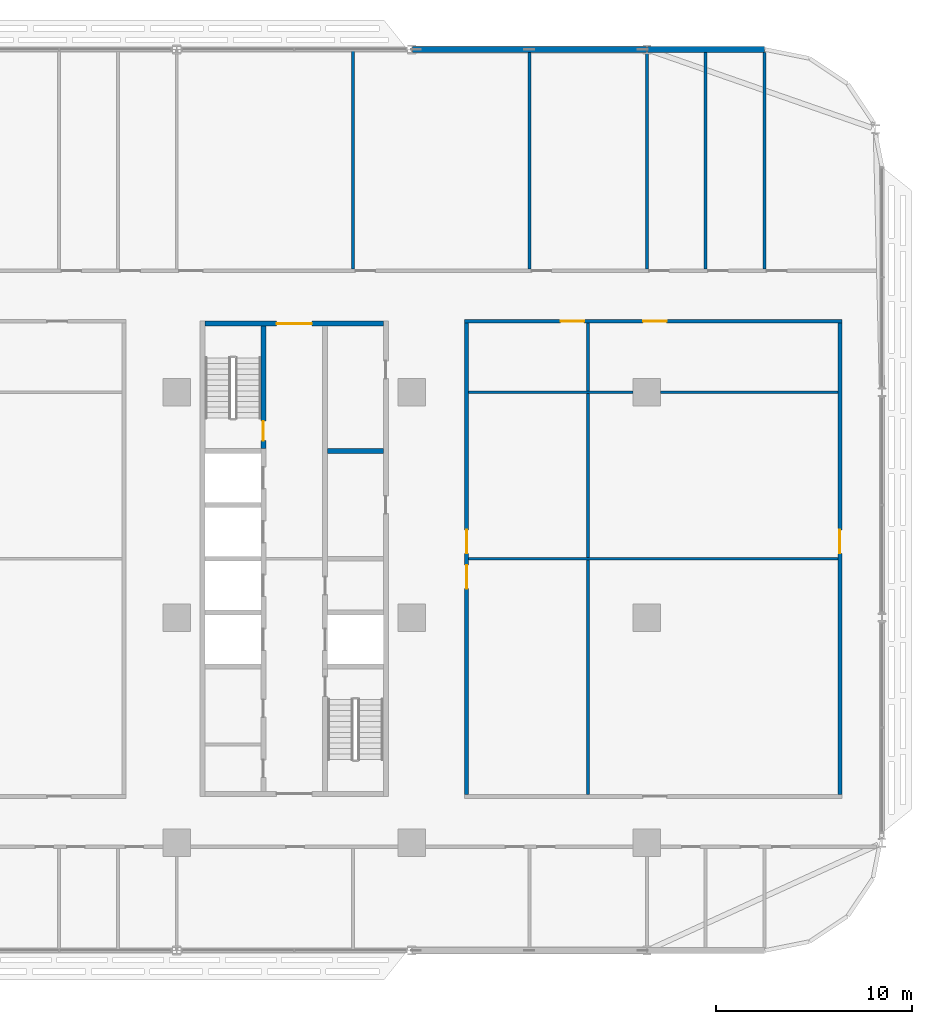
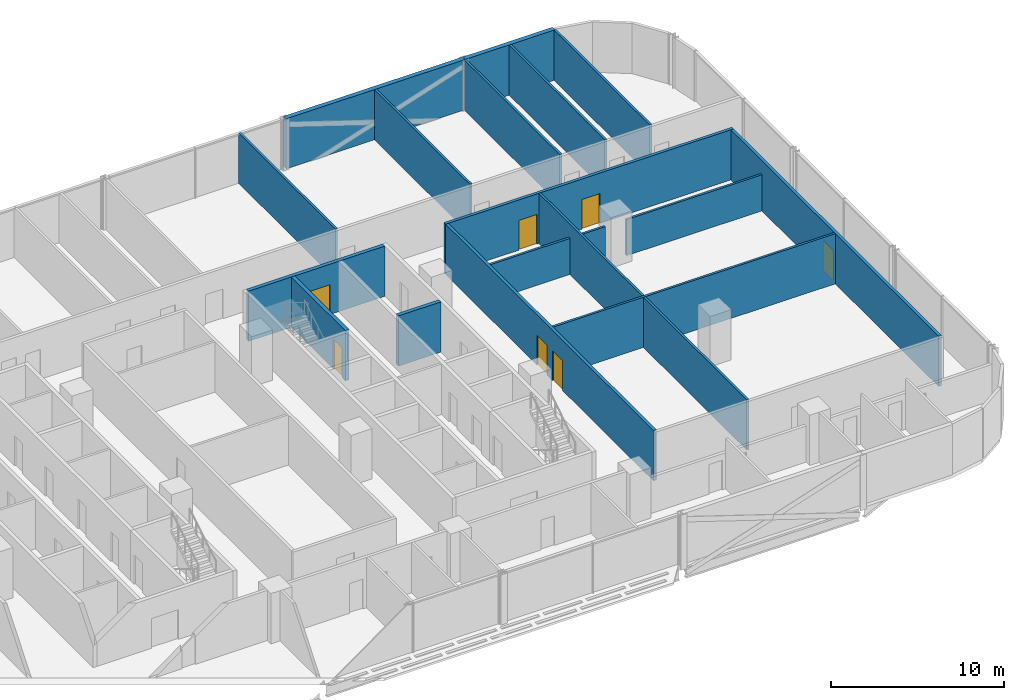
# One storey, part 17 of 29: 17 walls, 7 doors, 7 openings.
"""IFC4 building model written with IfcOpenShell, lengths in metres."""

import ifcopenshell
import ifcopenshell.guid

model = None  # the IFC model being written
_history = None  # IfcOwnerHistory: only IFC2X3 demands one
_inside = {}  # id of a spatial element -> (the spatial element, [elements in it])
_under = {}  # id of a project, library or spatial element -> (it, [spatial elements below it])
_declared = {}  # id of a project -> (the project, [libraries it declares])
_typed = {}  # id of a type object -> (the type object, [elements of that type])
_made_of = {}  # id of a material, layer set ... -> (it, [elements and type objects made of it])


def new_model(schema):
    """Start an empty IFC model of exactly this schema.

    Asked for "IFC4X3", IfcOpenShell would pick the latest addendum, in which some entities
    have other attributes; the version numbers below select the first issue.
    IFC2X3 requires an IfcOwnerHistory on every rooted entity: one is made here for all.
    """
    global model, _history
    if schema == "IFC4X3":
        model = ifcopenshell.file(schema_version=(4, 3, 0, 0))
    else:
        model = ifcopenshell.file(schema=schema)
    _inside.clear()
    _under.clear()
    _declared.clear()
    _typed.clear()
    _made_of.clear()
    _history = None
    if model.schema == "IFC2X3":
        org = make("IfcOrganization", Name="unknown")
        user = make(
            "IfcPersonAndOrganization",
            ThePerson=make("IfcPerson", FamilyName="unknown"),
            TheOrganization=org,
        )
        app = make(
            "IfcApplication",
            ApplicationDeveloper=org,
            Version="unknown",
            ApplicationFullName="unknown",
            ApplicationIdentifier="unknown",
        )
        _history = make(
            "IfcOwnerHistory",
            OwningUser=user,
            OwningApplication=app,
            ChangeAction="ADDED",
            CreationDate=0,
        )
    return model


def make(cls, **values):
    """One entity of the class cls with the attributes given. An attribute that is None is left unset."""
    return model.create_entity(
        cls, **{name: value for name, value in values.items() if value is not None}
    )


def rooted(cls, **values):
    """An entity with a GlobalId (a new one), such as an element, a storey or a relation."""
    return make(cls, GlobalId=ifcopenshell.guid.new(), OwnerHistory=_history, **values)


def si_unit(unit_type, name, prefix=None):
    """IfcSIUnit, for example si_unit("LENGTHUNIT", "METRE", prefix="MILLI")."""
    return make("IfcSIUnit", UnitType=unit_type, Prefix=prefix, Name=name)


def assignment(units):
    """IfcUnitAssignment: the units of a project."""
    return None if units is None else make("IfcUnitAssignment", Units=units)


def point(xyz):
    """IfcCartesianPoint."""
    return None if xyz is None else make("IfcCartesianPoint", Coordinates=xyz)


def direction(xyz):
    """IfcDirection."""
    return None if xyz is None else make("IfcDirection", DirectionRatios=xyz)


def frame(location, z_axis=None, x_axis=None):
    """IfcAxis2Placement3D, a coordinate frame: its origin and axes. An axis left out is left unset."""
    return make(
        "IfcAxis2Placement3D",
        Location=point(location),
        Axis=direction(z_axis),
        RefDirection=direction(x_axis),
    )


def frame_2d(location, x_axis=None):
    """IfcAxis2Placement2D, a coordinate frame in the plane: its origin and x axis."""
    return make(
        "IfcAxis2Placement2D", Location=point(location), RefDirection=direction(x_axis)
    )


def origin():
    """The frame at (0, 0, 0) with its axes left unset."""
    return frame((0.0, 0.0, 0.0))


def place(relative_to, where):
    """IfcLocalPlacement: puts the frame where relative to a parent placement (None: the world)."""
    return make(
        "IfcLocalPlacement", PlacementRelTo=relative_to, RelativePlacement=where
    )


def context(
    kind, dimensions, precision=None, world=None, true_north=None, identifier=None
):
    """IfcGeometricRepresentationContext, for example the 3D "Model" context."""
    return make(
        "IfcGeometricRepresentationContext",
        ContextIdentifier=identifier,
        ContextType=kind,
        CoordinateSpaceDimension=dimensions,
        Precision=precision,
        WorldCoordinateSystem=world,
        TrueNorth=true_north,
    )


def subcontext(parent, identifier, kind, view, scale=None):
    """IfcGeometricRepresentationSubContext, for example "Body" below "Model"."""
    return make(
        "IfcGeometricRepresentationSubContext",
        ContextIdentifier=identifier,
        ContextType=kind,
        ParentContext=parent,
        TargetScale=scale,
        TargetView=view,
    )


def project(units=None, contexts=None):
    """IfcProject with its units and contexts."""
    return rooted(
        "IfcProject",
        Name="project",
        RepresentationContexts=contexts,
        UnitsInContext=assignment(units),
    )


def spatial(cls, under=None, at=None, **own):
    """A site, building, storey or space (cls), placed at a placement, below another one or the project."""
    s = rooted(cls, ObjectPlacement=at, **own)
    if under is not None:
        _under.setdefault(under.id(), (under, []))[1].append(s)
    return s


def profile(cls, at=None, kind="AREA", **sizes):
    """A parametric profile (cls). Its sizes go by their IFC names, for example OverallWidth=200.0."""
    return make(cls, ProfileType=kind, Position=at, **sizes)


def rectangle(**sizes):
    """IfcRectangleProfileDef."""
    return profile("IfcRectangleProfileDef", **sizes)


def extrude(swept, where, along, depth):
    """IfcExtrudedAreaSolid: the profile swept, set in the frame where, extruded along a direction by depth."""
    return make(
        "IfcExtrudedAreaSolid",
        SweptArea=swept,
        Position=where,
        ExtrudedDirection=direction(along),
        Depth=depth,
    )


def shape(context_of_items, identifier, shape_type, items):
    """IfcShapeRepresentation: the items that make up one representation, for example the "Body"."""
    return make(
        "IfcShapeRepresentation",
        ContextOfItems=context_of_items,
        RepresentationIdentifier=identifier,
        RepresentationType=shape_type,
        Items=items,
    )


def material(Name=None, Category=None):
    """IfcMaterial."""
    return make("IfcMaterial", Name=Name, Category=Category)


def layer(
    of_material, thickness, ventilated=None, Name=None, Category=None, Priority=None
):
    """IfcMaterialLayer: one layer of a wall or slab, of a material (None: an air gap)."""
    return make(
        "IfcMaterialLayer",
        Material=of_material,
        LayerThickness=thickness,
        IsVentilated=ventilated,
        Name=Name,
        Category=Category,
        Priority=Priority,
    )


def layer_set(layers, Name=None):
    """IfcMaterialLayerSet."""
    return make("IfcMaterialLayerSet", MaterialLayers=layers, LayerSetName=Name)


def made_of(thing, what):
    """Note that an element or type object is made of a material, layer set ...; save() writes the relation."""
    if what is not None:
        _made_of.setdefault(what.id(), (what, []))[1].append(thing)
    return thing


def type_object(cls, material=None, **own):
    """A type object (cls), such as IfcWallType, which elements share."""
    return made_of(rooted(cls, **own), material)


def element(
    cls,
    number,
    at=None,
    inside=None,
    cuts=None,
    type_object=None,
    material=None,
    context=None,
    identifier="Body",
    shape_type=None,
    held_by="IfcProductDefinitionShape",
    body=None,
    shapes=None,
    **own,
):
    """One element of the class cls, such as IfcWall. Its Tag is "e" and its number.

    at: its placement. inside: the storey or other place that contains it. cuts: it is an
    opening in that element (IfcRelVoidsElement). A single representation is given by context,
    identifier, shape_type and body (its items); several are given by shapes. held_by: the class
    of the entity that holds the representations. save() writes the other relations.
    """
    e = rooted(cls, Tag="e%d" % number, ObjectPlacement=at, **own)
    if body is not None:
        shapes = [shape(context, identifier, shape_type, body)]
    if shapes is not None:
        e.Representation = make(held_by, Representations=shapes)
    if inside is not None:
        _inside.setdefault(inside.id(), (inside, []))[1].append(e)
    if cuts is not None:
        rooted(
            "IfcRelVoidsElement", RelatingBuildingElement=cuts, RelatedOpeningElement=e
        )
    if type_object is not None:
        _typed.setdefault(type_object.id(), (type_object, []))[1].append(e)
    return made_of(e, material)


def fill(opening, filler):
    """IfcRelFillsElement: the door or window that sits in an opening."""
    return rooted(
        "IfcRelFillsElement",
        RelatingOpeningElement=opening,
        RelatedBuildingElement=filler,
    )


def aggregate(whole, parts):
    """IfcRelAggregates: a whole, such as a stair, and the parts it consists of."""
    return rooted("IfcRelAggregates", RelatingObject=whole, RelatedObjects=parts)


def save(model, path):
    """Write the relations noted so far, then the file.

    IfcRelAggregates (storeys below a building ...), IfcRelContainedInSpatialStructure (elements
    in a storey), IfcRelDefinesByType, IfcRelAssociatesMaterial and IfcRelDeclares: one each for
    every whole, place, type object, material and project.
    """
    for whole, parts in _under.values():
        aggregate(whole, parts)
    for where, things in _inside.values():
        rooted(
            "IfcRelContainedInSpatialStructure",
            RelatedElements=things,
            RelatingStructure=where,
        )
    for kind, things in _typed.values():
        rooted("IfcRelDefinesByType", RelatedObjects=things, RelatingType=kind)
    for what, things in _made_of.values():
        rooted("IfcRelAssociatesMaterial", RelatedObjects=things, RelatingMaterial=what)
    for by, libraries in _declared.values():
        rooted("IfcRelDeclares", RelatingContext=by, RelatedDefinitions=libraries)
    model.write(path)


model = new_model("IFC4")

# Units and contexts
model_context = context("Model", 3, precision=1e-05, world=origin(), true_north=direction((0.0, 1.0)))
body_context = subcontext(model_context, "Body", "Model", "MODEL_VIEW")
ifc_project = project(units=[si_unit("LENGTHUNIT", "METRE"), si_unit("AREAUNIT", "SQUARE_METRE"), si_unit("VOLUMEUNIT", "CUBIC_METRE"), si_unit("PLANEANGLEUNIT", "RADIAN"), si_unit("MASSUNIT", "GRAM", prefix="KILO")], contexts=[model_context])

# Site, building, storey
site_placement = place(None, origin())
site = spatial("IfcSite", under=ifc_project, at=site_placement, CompositionType="ELEMENT")
building_placement = place(site_placement, origin())
building = spatial("IfcBuilding", under=site, at=building_placement, Name="Mahtab Terrace Research Tower", CompositionType="ELEMENT")
storey_placement = place(building_placement, frame((0.0, 0.0, 113.5)))
storey = spatial("IfcBuildingStorey", under=building, at=storey_placement, Name="L26", CompositionType="ELEMENT", Elevation=113.5)

# Wall, opening, door
ifc_material_1 = material(Name="Concrete C70/85", Category="concrete")
ifc_layer_1 = layer(ifc_material_1, 0.25)
ifc_layer_set_1 = layer_set([ifc_layer_1], Name="Core wall 250")
wall_type_1 = type_object("IfcWallType", Name="Core wall 250", PredefinedType="SOLIDWALL", material=ifc_layer_set_1)
wall_1_placement = place(storey_placement, frame((19.449951171875, 15.0, 0.0), z_axis=(0.0, 0.0, 1.0), x_axis=(1.0, 0.0, 0.0)))
wall_1 = element("IfcWall", 1, at=wall_1_placement, inside=storey, type_object=wall_type_1, Name="Core wall C endN", PredefinedType="SOLIDWALL", context=body_context, shape_type="SweptSolid", body=[
    extrude(rectangle(XDim=9.10009765625, YDim=0.25, at=frame_2d((4.550048828125, 0.0))), origin(), (0.0, 0.0, 1.0), 3.550048828125),
])
opening_1_placement = place(wall_1_placement, frame((3.64990234375, 0.0, 0.0)))
opening_1 = element("IfcOpeningElement", 2, at=opening_1_placement, cuts=wall_1, Name="Opening C-N1", PredefinedType="OPENING", context=body_context, shape_type="SweptSolid", body=[
    extrude(rectangle(XDim=1.800048828125, YDim=2.10009765625, at=frame_2d((0.89990234375, 1.050048828125))), frame((0.0, 0.135009765625, 0.0), z_axis=(0.0, -1.0, 0.0), x_axis=(1.0, 0.0, 0.0)), (0.0, 0.0, 1.0), 0.27001953125),
])
ifc_material_2 = material(Name="Steel fire door", Category="steel")
door_type_1 = type_object("IfcDoorType", Name="Lobby double door 1800x2100 1 HR", OperationType="DOUBLE_DOOR_SINGLE_SWING", PredefinedType="DOOR", material=ifc_material_2)
door_1_placement = place(opening_1_placement, origin())
door_1 = element("IfcDoor", 3, at=door_1_placement, inside=storey, type_object=door_type_1, Name="Core entrance door C N", OperationType="DOUBLE_DOOR_SINGLE_SWING", OverallHeight=2.10009765625, OverallWidth=1.800048828125, PredefinedType="DOOR", context=body_context, shape_type="SweptSolid", body=[
    extrude(rectangle(XDim=1.800048828125, YDim=2.10009765625, at=frame_2d((0.89990234375, 1.050048828125))), frame((0.0, 0.02490234375, 0.0), z_axis=(0.0, -1.0, 0.0), x_axis=(1.0, 0.0, 0.0)), (0.0, 0.0, 1.0), 0.050048828125),
])
fill(opening_1, door_1)

wall_2_placement = place(storey_placement, frame((22.425048828125, 14.875, 0.0), z_axis=(0.0, 0.0, 1.0), x_axis=(0.0, -1.0, 0.0)))
wall_2 = element("IfcWall", 4, at=wall_2_placement, inside=storey, type_object=wall_type_1, Name="Core wall C innerWN", PredefinedType="SOLIDWALL", context=body_context, shape_type="SweptSolid", body=[
    extrude(rectangle(XDim=6.25, YDim=0.25, at=frame_2d((3.125, 0.0))), origin(), (0.0, 0.0, 1.0), 3.550048828125),
])
opening_2_placement = place(wall_2_placement, frame((4.85009765625, 0.0, 0.0)))
opening_2 = element("IfcOpeningElement", 5, at=opening_2_placement, cuts=wall_2, Name="Opening C-ST3", PredefinedType="OPENING", context=body_context, shape_type="SweptSolid", body=[
    extrude(rectangle(XDim=1.0, YDim=2.10009765625, at=frame_2d((0.5, 1.050048828125))), frame((0.0, 0.135009765625, 0.0), z_axis=(0.0, -1.0, 0.0), x_axis=(1.0, 0.0, 0.0)), (0.0, 0.0, 1.0), 0.27001953125),
])
door_type_2 = type_object("IfcDoorType", Name="Stair door 1000x2100 1.5 HR", OperationType="NOTDEFINED", PredefinedType="DOOR", material=ifc_material_2)
door_2_placement = place(opening_2_placement, origin())
door_2 = element("IfcDoor", 6, at=door_2_placement, inside=storey, type_object=door_type_2, Name="Stair door ST3 L26", OperationType="SINGLE_SWING_RIGHT", OverallHeight=2.10009765625, OverallWidth=1.0, PredefinedType="DOOR", context=body_context, shape_type="SweptSolid", body=[
    extrude(rectangle(XDim=1.0, YDim=2.10009765625, at=frame_2d((0.5, 1.050048828125))), frame((0.0, 0.02490234375, 0.0), z_axis=(0.0, -1.0, 0.0), x_axis=(1.0, 0.0, 0.0)), (0.0, 0.0, 1.0), 0.050048828125),
])
fill(opening_2, door_2)

# Walls
wall_3_placement = place(storey_placement, frame((25.699951171875, 8.5, 0.0), z_axis=(0.0, 0.0, 1.0), x_axis=(1.0, 0.0, 0.0)))
element("IfcWall", 7, at=wall_3_placement, inside=storey, type_object=wall_type_1, Name="Core wall C divE4", PredefinedType="SOLIDWALL", context=body_context, shape_type="SweptSolid", body=[
    extrude(rectangle(XDim=2.85009765625, YDim=0.25, at=frame_2d((1.425048828125, 0.0))), origin(), (0.0, 0.0, 1.0), 3.550048828125),
])
ifc_material_3 = material(Name="Black aluminium cladding panel", Category="aluminium")
ifc_layer_2 = layer(ifc_material_3, 0.300048828125)
ifc_layer_set_2 = layer_set([ifc_layer_2], Name="Opaque facade wall 300")
wall_type_2 = type_object("IfcWallType", Name="Opaque facade wall 300", PredefinedType="NOTDEFINED", material=ifc_layer_set_2)
wall_4_placement = place(storey_placement, frame((48.0, 29.0, 0.0), z_axis=(0.0, 0.0, 1.0), x_axis=(-1.0, 0.0, 0.0)))
element("IfcWall", 8, at=wall_4_placement, inside=storey, type_object=wall_type_2, Name="Opaque facade wall L26 N3", PredefinedType="NOTDEFINED", context=body_context, shape_type="SweptSolid", body=[
    extrude(rectangle(XDim=5.97900390625, YDim=0.300048828125, at=frame_2d((2.989501953125, 0.0))), origin(), (0.0, 0.0, 1.0), 3.550048828125),
])
wall_5_placement = place(storey_placement, frame((41.97900390625, 29.0, 0.0), z_axis=(0.0, 0.0, 1.0), x_axis=(-1.0, 0.0, 0.0)))
element("IfcWall", 9, at=wall_5_placement, inside=storey, type_object=wall_type_2, Name="Opaque facade wall L26 N4", PredefinedType="NOTDEFINED", context=body_context, shape_type="SweptSolid", body=[
    extrude(rectangle(XDim=11.9580078125, YDim=0.300048828125, at=frame_2d((5.97900390625, 0.0))), origin(), (0.0, 0.0, 1.0), 3.550048828125),
])

# Wall, openings, doors
ifc_material_4 = material(Name="Gypsum board corridor wall on steel studs", Category="steel")
ifc_layer_3 = layer(ifc_material_4, 0.199951171875)
ifc_layer_set_3 = layer_set([ifc_layer_3], Name="WALL CORRIDOR 200")
wall_type_3 = type_object("IfcWallType", Name="WALL CORRIDOR 200", PredefinedType="PARTITIONING", material=ifc_layer_set_3)
wall_6_placement = place(storey_placement, frame((32.699951171875, 15.125, 0.0), z_axis=(0.0, 0.0, 1.0), x_axis=(1.0, 0.0, 0.0)))
wall_6 = element("IfcWall", 10, at=wall_6_placement, inside=storey, type_object=wall_type_3, Name="L26-W025", PredefinedType="PARTITIONING", context=body_context, shape_type="SweptSolid", body=[
    extrude(rectangle(XDim=19.25, YDim=0.199951171875, at=frame_2d((9.625, 0.0))), origin(), (0.0, 0.0, 1.0), 3.550048828125),
])
opening_3_placement = place(wall_6_placement, frame((4.89990234375, 0.0, 0.0)))
opening_3 = element("IfcOpeningElement", 11, at=opening_3_placement, cuts=wall_6, Name="Opening L26-130", PredefinedType="OPENING", context=body_context, shape_type="SweptSolid", body=[
    extrude(rectangle(XDim=1.199951171875, YDim=2.10009765625, at=frame_2d((0.60009765625, 1.050048828125))), frame((0.0, 0.10986328125, 0.0), z_axis=(0.0, -1.0, 0.0), x_axis=(1.0, 0.0, 0.0)), (0.0, 0.0, 1.0), 0.219970703125),
])
opening_4_placement = place(wall_6_placement, frame((9.10009765625, 0.0, 0.0)))
opening_4 = element("IfcOpeningElement", 12, at=opening_4_placement, cuts=wall_6, Name="Opening L26-131", PredefinedType="OPENING", context=body_context, shape_type="SweptSolid", body=[
    extrude(rectangle(XDim=1.199951171875, YDim=2.10009765625, at=frame_2d((0.60009765625, 1.050048828125))), frame((0.0, 0.10986328125, 0.0), z_axis=(0.0, -1.0, 0.0), x_axis=(1.0, 0.0, 0.0)), (0.0, 0.0, 1.0), 0.219970703125),
])
ifc_material_5 = material(Name="Timber door leaf in steel frame", Category="steel")
door_type_3 = type_object("IfcDoorType", Name="DOOR 1200X2100 FD30S", OperationType="SINGLE_SWING_LEFT", PredefinedType="DOOR", material=ifc_material_5)
door_3_placement = place(opening_3_placement, origin())
door_3 = element("IfcDoor", 13, at=door_3_placement, inside=storey, type_object=door_type_3, Name="Door L26-130", OperationType="SINGLE_SWING_RIGHT", OverallHeight=2.10009765625, OverallWidth=1.199951171875, PredefinedType="DOOR", context=body_context, shape_type="SweptSolid", body=[
    extrude(rectangle(XDim=1.199951171875, YDim=2.10009765625, at=frame_2d((0.60009765625, 1.050048828125))), frame((0.0, 0.02490234375, 0.0), z_axis=(0.0, -1.0, 0.0), x_axis=(1.0, 0.0, 0.0)), (0.0, 0.0, 1.0), 0.050048828125),
])
fill(opening_3, door_3)
door_4_placement = place(opening_4_placement, origin())
door_4 = element("IfcDoor", 14, at=door_4_placement, inside=storey, type_object=door_type_3, Name="Door L26-131", OperationType="SINGLE_SWING_LEFT", OverallHeight=2.10009765625, OverallWidth=1.199951171875, PredefinedType="DOOR", context=body_context, shape_type="SweptSolid", body=[
    extrude(rectangle(XDim=1.199951171875, YDim=2.10009765625, at=frame_2d((0.60009765625, 1.050048828125))), frame((0.0, 0.02490234375, 0.0), z_axis=(0.0, -1.0, 0.0), x_axis=(1.0, 0.0, 0.0)), (0.0, 0.0, 1.0), 0.050048828125),
])
fill(opening_4, door_4)

wall_7_placement = place(storey_placement, frame((32.800048828125, -9.02490234375, 0.0), z_axis=(0.0, 0.0, 1.0), x_axis=(0.0, 1.0, 0.0)))
wall_7 = element("IfcWall", 15, at=wall_7_placement, inside=storey, type_object=wall_type_3, Name="L26-W055", PredefinedType="PARTITIONING", context=body_context, shape_type="SweptSolid", body=[
    extrude(rectangle(XDim=24.0498046875, YDim=0.199951171875, at=frame_2d((12.02490234375, 0.0))), origin(), (0.0, 0.0, 1.0), 3.550048828125),
])
opening_5_placement = place(wall_7_placement, frame((10.5, 0.0, 0.0)))
opening_5 = element("IfcOpeningElement", 16, at=opening_5_placement, cuts=wall_7, Name="Opening L26-120", PredefinedType="OPENING", context=body_context, shape_type="SweptSolid", body=[
    extrude(rectangle(XDim=1.199951171875, YDim=2.10009765625, at=frame_2d((0.60009765625, 1.050048828125))), frame((0.0, 0.10986328125, 0.0), z_axis=(0.0, -1.0, 0.0), x_axis=(1.0, 0.0, 0.0)), (0.0, 0.0, 1.0), 0.219970703125),
])
opening_6_placement = place(wall_7_placement, frame((12.300048828125, 0.0, 0.0)))
opening_6 = element("IfcOpeningElement", 17, at=opening_6_placement, cuts=wall_7, Name="Opening L26-125", PredefinedType="OPENING", context=body_context, shape_type="SweptSolid", body=[
    extrude(rectangle(XDim=1.199951171875, YDim=2.10009765625, at=frame_2d((0.60009765625, 1.050048828125))), frame((0.0, 0.10986328125, 0.0), z_axis=(0.0, -1.0, 0.0), x_axis=(1.0, 0.0, 0.0)), (0.0, 0.0, 1.0), 0.219970703125),
])
door_5_placement = place(opening_5_placement, origin())
door_5 = element("IfcDoor", 18, at=door_5_placement, inside=storey, type_object=door_type_3, Name="Door L26-120", OperationType="SINGLE_SWING_RIGHT", OverallHeight=2.10009765625, OverallWidth=1.199951171875, PredefinedType="DOOR", context=body_context, shape_type="SweptSolid", body=[
    extrude(rectangle(XDim=1.199951171875, YDim=2.10009765625, at=frame_2d((0.60009765625, 1.050048828125))), frame((0.0, 0.02490234375, 0.0), z_axis=(0.0, -1.0, 0.0), x_axis=(1.0, 0.0, 0.0)), (0.0, 0.0, 1.0), 0.050048828125),
])
fill(opening_5, door_5)
door_6_placement = place(opening_6_placement, origin())
door_6 = element("IfcDoor", 19, at=door_6_placement, inside=storey, type_object=door_type_3, Name="Door L26-125", OperationType="SINGLE_SWING_LEFT", OverallHeight=2.10009765625, OverallWidth=1.199951171875, PredefinedType="DOOR", context=body_context, shape_type="SweptSolid", body=[
    extrude(rectangle(XDim=1.199951171875, YDim=2.10009765625, at=frame_2d((0.60009765625, 1.050048828125))), frame((0.0, 0.02490234375, 0.0), z_axis=(0.0, -1.0, 0.0), x_axis=(1.0, 0.0, 0.0)), (0.0, 0.0, 1.0), 0.050048828125),
])
fill(opening_6, door_6)

# Wall, opening, door
wall_8_placement = place(storey_placement, frame((51.85009765625, -9.02490234375, 0.0), z_axis=(0.0, 0.0, 1.0), x_axis=(0.0, 1.0, 0.0)))
wall_8 = element("IfcWall", 20, at=wall_8_placement, inside=storey, type_object=wall_type_3, Name="L26-W065", PredefinedType="PARTITIONING", context=body_context, shape_type="SweptSolid", body=[
    extrude(rectangle(XDim=24.0498046875, YDim=0.199951171875, at=frame_2d((12.02490234375, 0.0))), origin(), (0.0, 0.0, 1.0), 3.550048828125),
])
opening_7_placement = place(wall_8_placement, frame((12.300048828125, 0.0, 0.0)))
opening_7 = element("IfcOpeningElement", 21, at=opening_7_placement, cuts=wall_8, Name="Opening L26-126", PredefinedType="OPENING", context=body_context, shape_type="SweptSolid", body=[
    extrude(rectangle(XDim=1.199951171875, YDim=2.10009765625, at=frame_2d((0.60009765625, 1.050048828125))), frame((0.0, 0.10986328125, 0.0), z_axis=(0.0, -1.0, 0.0), x_axis=(1.0, 0.0, 0.0)), (0.0, 0.0, 1.0), 0.219970703125),
])
door_7_placement = place(opening_7_placement, origin())
door_7 = element("IfcDoor", 22, at=door_7_placement, inside=storey, type_object=door_type_3, Name="Door L26-126", OperationType="SINGLE_SWING_RIGHT", OverallHeight=2.10009765625, OverallWidth=1.199951171875, PredefinedType="DOOR", context=body_context, shape_type="SweptSolid", body=[
    extrude(rectangle(XDim=1.199951171875, YDim=2.10009765625, at=frame_2d((0.60009765625, 1.050048828125))), frame((0.0, 0.02490234375, 0.0), z_axis=(0.0, -1.0, 0.0), x_axis=(1.0, 0.0, 0.0)), (0.0, 0.0, 1.0), 0.050048828125),
])
fill(opening_7, door_7)

# Walls
ifc_material_6 = material(Name="Gypsum board partition on steel studs", Category="steel")
ifc_layer_4 = layer(ifc_material_6, 0.14990234375)
ifc_layer_set_4 = layer_set([ifc_layer_4], Name="WALL PARTITION 150")
wall_type_4 = type_object("IfcWallType", Name="WALL PARTITION 150", PredefinedType="PARTITIONING", material=ifc_layer_set_4)
wall_9_placement = place(storey_placement, frame((32.89990234375, 3.0, 0.0), z_axis=(0.0, 0.0, 1.0), x_axis=(1.0, 0.0, 0.0)))
element("IfcWall", 23, at=wall_9_placement, inside=storey, type_object=wall_type_4, Name="L26-W016", PredefinedType="PARTITIONING", context=body_context, shape_type="SweptSolid", body=[
    extrude(rectangle(XDim=18.85009765625, YDim=0.14990234375, at=frame_2d((9.425048828125, 0.0))), origin(), (0.0, 0.0, 1.0), 3.550048828125),
])
wall_10_placement = place(storey_placement, frame((32.89990234375, 11.5, 0.0), z_axis=(0.0, 0.0, 1.0), x_axis=(1.0, 0.0, 0.0)))
element("IfcWall", 24, at=wall_10_placement, inside=storey, type_object=wall_type_4, Name="L26-W020", PredefinedType="PARTITIONING", context=body_context, shape_type="SweptSolid", body=[
    extrude(rectangle(XDim=8.400146484375, YDim=0.14990234375, at=frame_2d((4.2001953125, 0.0))), origin(), (0.0, 0.0, 1.0), 2.55126953125),
])
wall_11_placement = place(storey_placement, frame((42.699951171875, 11.5, 0.0), z_axis=(0.0, 0.0, 1.0), x_axis=(1.0, 0.0, 0.0)))
element("IfcWall", 25, at=wall_11_placement, inside=storey, type_object=wall_type_4, Name="L26-W021", PredefinedType="PARTITIONING", context=body_context, shape_type="SweptSolid", body=[
    extrude(rectangle(XDim=9.050048828125, YDim=0.14990234375, at=frame_2d((4.52490234375, 0.0))), origin(), (0.0, 0.0, 1.0), 2.55126953125),
])
wall_12_placement = place(storey_placement, frame((27.0, 17.800048828125, 0.0), z_axis=(0.0, 0.0, 1.0), x_axis=(0.0, 1.0, 0.0)))
element("IfcWall", 26, at=wall_12_placement, inside=storey, type_object=wall_type_4, Name="L26-W054", PredefinedType="PARTITIONING", context=body_context, shape_type="SweptSolid", body=[
    extrude(rectangle(XDim=11.175048828125, YDim=0.14990234375, at=frame_2d((5.58740234375, 0.0))), origin(), (0.0, 0.0, 1.0), 3.550048828125),
])
wall_13_placement = place(storey_placement, frame((36.0, 17.800048828125, 0.0), z_axis=(0.0, 0.0, 1.0), x_axis=(0.0, 1.0, 0.0)))
element("IfcWall", 27, at=wall_13_placement, inside=storey, type_object=wall_type_4, Name="L26-W057", PredefinedType="PARTITIONING", context=body_context, shape_type="SweptSolid", body=[
    extrude(rectangle(XDim=11.050048828125, YDim=0.14990234375, at=frame_2d((5.52490234375, 0.0))), origin(), (0.0, 0.0, 1.0), 3.550048828125),
])
wall_14_placement = place(storey_placement, frame((39.0, -9.02490234375, 0.0), z_axis=(0.0, 0.0, 1.0), x_axis=(0.0, 1.0, 0.0)))
element("IfcWall", 28, at=wall_14_placement, inside=storey, type_object=wall_type_4, Name="L26-W058", PredefinedType="PARTITIONING", context=body_context, shape_type="SweptSolid", body=[
    extrude(rectangle(XDim=24.0498046875, YDim=0.14990234375, at=frame_2d((12.02490234375, 0.0))), origin(), (0.0, 0.0, 1.0), 3.550048828125),
])
for number, where, z_axis, x_axis, name in (
    (29, (42.0, 17.800048828125, 0.0), (0.0, 0.0, 1.0), (0.0, 1.0, 0.0), "L26-W060"),
    (30, (45.0, 17.800048828125, 0.0), (0.0, 0.0, 1.0), (0.0, 1.0, 0.0), "L26-W062"),
):
    element("IfcWall", number, at=place(storey_placement, frame(where, z_axis=z_axis, x_axis=x_axis)), inside=storey, type_object=wall_type_4, Name=name, PredefinedType="PARTITIONING", context=body_context, shape_type="SweptSolid", body=[
        extrude(rectangle(XDim=11.050048828125, YDim=0.14990234375, at=frame_2d((5.52490234375, 0.0))), origin(), (0.0, 0.0, 1.0), 3.550048828125),
    ])
wall_15_placement = place(storey_placement, frame((48.0, 17.800048828125, 0.0), z_axis=(0.0, 0.0, 1.0), x_axis=(0.0, 1.0, 0.0)))
element("IfcWall", 31, at=wall_15_placement, inside=storey, type_object=wall_type_4, Name="L26-W064", PredefinedType="PARTITIONING", context=body_context, shape_type="SweptSolid", body=[
    extrude(rectangle(XDim=11.047119140625, YDim=0.14990234375, at=frame_2d((5.5234375, 0.0))), origin(), (0.0, 0.0, 1.0), 3.550048828125),
])

save(model, "model.ifc")
